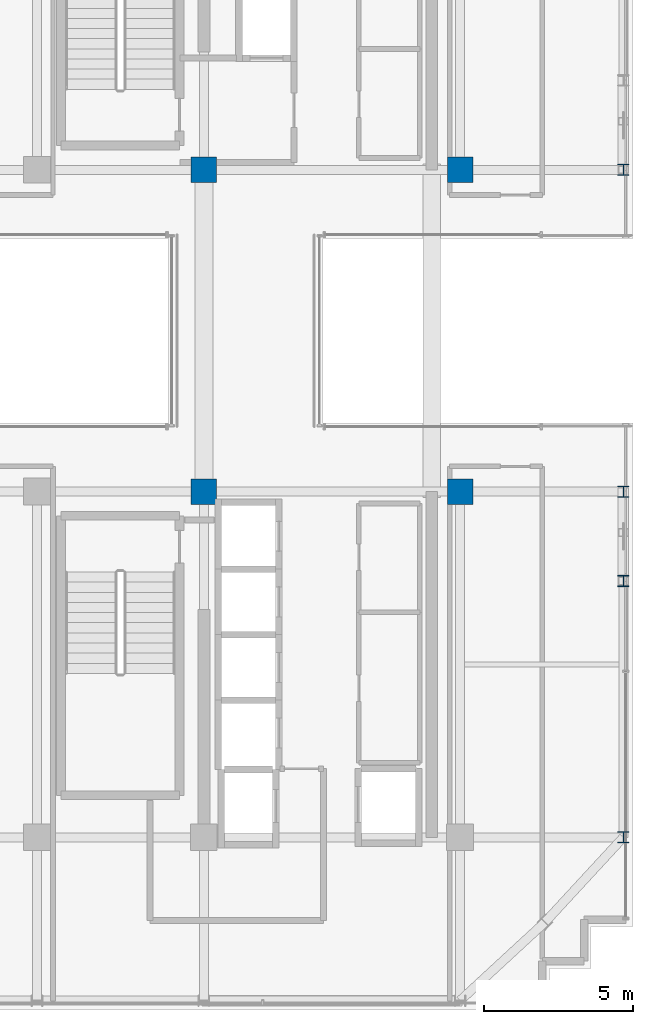
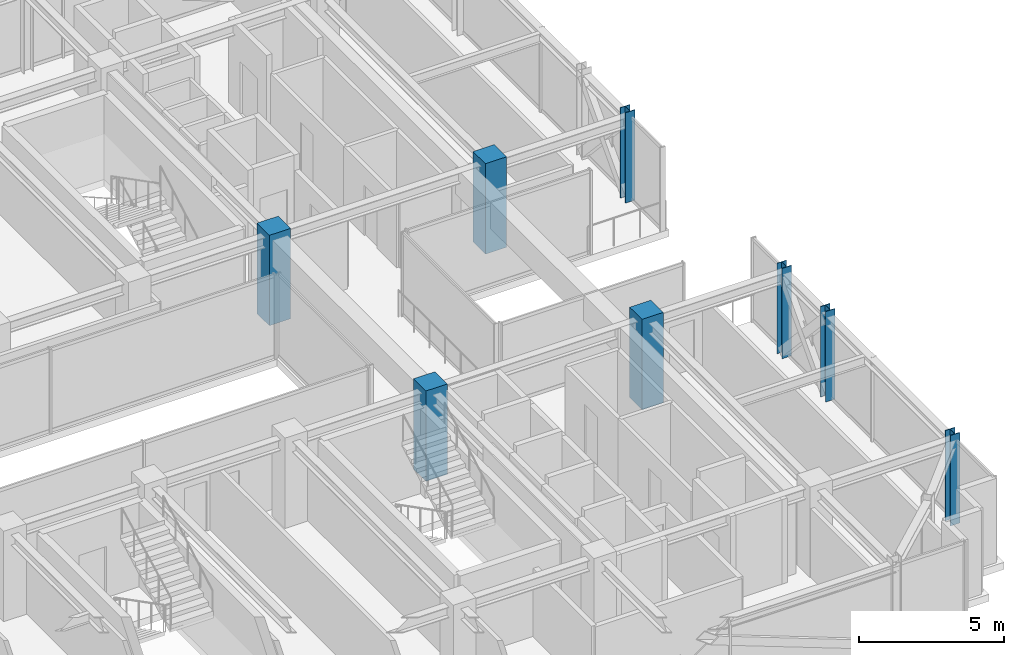
# One storey, part 2 of 37: 8 columns.
"""IFC4 building model written with IfcOpenShell, lengths in metres."""

from ifc_helpers import new_model, si_unit, direction, frame, origin, origin_2d, place, context, subcontext, project, spatial, rectangle, i_section, extrude, source, transform, mapped, material, material_profile, profile_set, type_object, element, save


model = new_model("IFC4")

# Units and contexts
model_context = context("Model", 3, precision=1e-05, world=origin(), true_north=direction((0.0, 1.0)))
body_context = subcontext(model_context, "Body", "Model", "MODEL_VIEW")
ifc_project = project(units=[si_unit("LENGTHUNIT", "METRE"), si_unit("AREAUNIT", "SQUARE_METRE"), si_unit("VOLUMEUNIT", "CUBIC_METRE"), si_unit("PLANEANGLEUNIT", "RADIAN"), si_unit("MASSUNIT", "GRAM", prefix="KILO")], contexts=[model_context])

# Site, building, storey
site_placement = place(None, origin())
site = spatial("IfcSite", under=ifc_project, at=site_placement, CompositionType="ELEMENT")
building_placement = place(site_placement, origin())
building = spatial("IfcBuilding", under=site, at=building_placement, Name="Nahalor Promenade Grand Hotel", CompositionType="ELEMENT")
storey_placement = place(building_placement, frame((0.0, 0.0, 292.64990234375)))
storey = spatial("IfcBuildingStorey", under=building, at=storey_placement, Name="L75", CompositionType="ELEMENT", Elevation=292.64990234375)

# Columns
ifc_material_1 = material(Name="Concrete B-70 (C60/75)", Category="concrete")
ifc_material_profile_1 = material_profile(ifc_material_1, rectangle(XDim=0.85, YDim=0.85, at=origin_2d()), Name="RC 850x850")
ifc_profile_set_1 = profile_set([ifc_material_profile_1], Name="Concrete B-70 (C60/75)")
column_type_1 = type_object("IfcColumnType", Name="Col-Pilaster-850", PredefinedType="PILASTER", material=ifc_profile_set_1)
shared_shape_1 = source(origin(), body_context, "Body", "SweptSolid", [
    extrude(rectangle(XDim=0.85, YDim=0.85, at=origin_2d()), origin(), (0.0, 0.0, 1.0), 3.80517578125),
])
for number, where, z_axis, x_axis, name in (
    (1, (8.39990234375, -5.39990234375, 0.0), (0.0, 0.0, 1.0), (1.0, 0.0, 0.0), "COL-L75-I41"),
    (2, (8.39990234375, 5.39990234375, 0.0), (0.0, 0.0, 1.0), (1.0, 0.0, 0.0), "COL-L75-I42"),
    (3, (17.0, -5.39990234375, 0.0), (0.0, 0.0, 1.0), (1.0, 0.0, 0.0), "COL-L75-I51"),
    (4, (17.0, 5.39990234375, 0.0), (0.0, 0.0, 1.0), (1.0, 0.0, 0.0), "COL-L75-I52"),
):
    element("IfcColumn", number, at=place(storey_placement, frame(where, z_axis=z_axis, x_axis=x_axis)), inside=storey, type_object=column_type_1, Name=name, PredefinedType="PILASTER", context=body_context, shape_type="MappedRepresentation", body=[
        mapped(shared_shape_1, transform((0.0, 0.0, 0.0), scale=1.0)),
    ])
ifc_material_2 = material(Name="Steel S355JR", Category="steel")
ifc_material_profile_2 = material_profile(ifc_material_2, i_section(OverallWidth=0.374, OverallDepth=0.374, WebThickness=0.0144, FlangeThickness=0.0229, at=origin_2d()), Name="HD 360x262")
ifc_profile_set_2 = profile_set([ifc_material_profile_2], Name="Steel S355JR")
column_type_2 = type_object("IfcColumnType", Name="Col-Steel-HD262", PredefinedType="COLUMN", material=ifc_profile_set_2)
shared_shape_2 = source(origin(), body_context, "Body", "SweptSolid", [
    extrude(i_section(OverallWidth=0.374, OverallDepth=0.374, WebThickness=0.0144, FlangeThickness=0.0229, at=origin_2d()), origin(), (0.0, 0.0, 1.0), 3.80517578125),
])
for number, where, z_axis, x_axis, name in (
    (5, (22.47998046875, -17.0, 0.0), (0.0, 0.0, 1.0), (1.0, 0.0, 0.0), "COL-L75-PW-E0"),
    (6, (22.47998046875, -8.39990234375, 0.0), (0.0, 0.0, 1.0), (1.0, 0.0, 0.0), "COL-L75-PW-E1"),
    (7, (22.47998046875, -5.39990234375, 0.0), (0.0, 0.0, 1.0), (1.0, 0.0, 0.0), "COL-L75-PW-E2"),
    (8, (22.47998046875, 5.39990234375, 0.0), (0.0, 0.0, 1.0), (1.0, 0.0, 0.0), "COL-L75-PW-E3"),
):
    element("IfcColumn", number, at=place(storey_placement, frame(where, z_axis=z_axis, x_axis=x_axis)), inside=storey, type_object=column_type_2, Name=name, PredefinedType="COLUMN", context=body_context, shape_type="MappedRepresentation", body=[
        mapped(shared_shape_2, transform((0.0, 0.0, 0.0), scale=1.0)),
    ])

save(model, "model.ifc")
